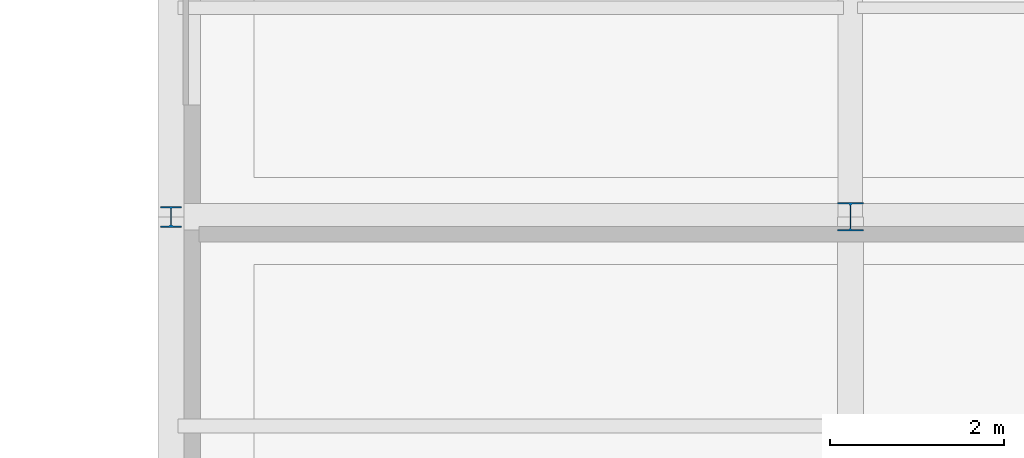
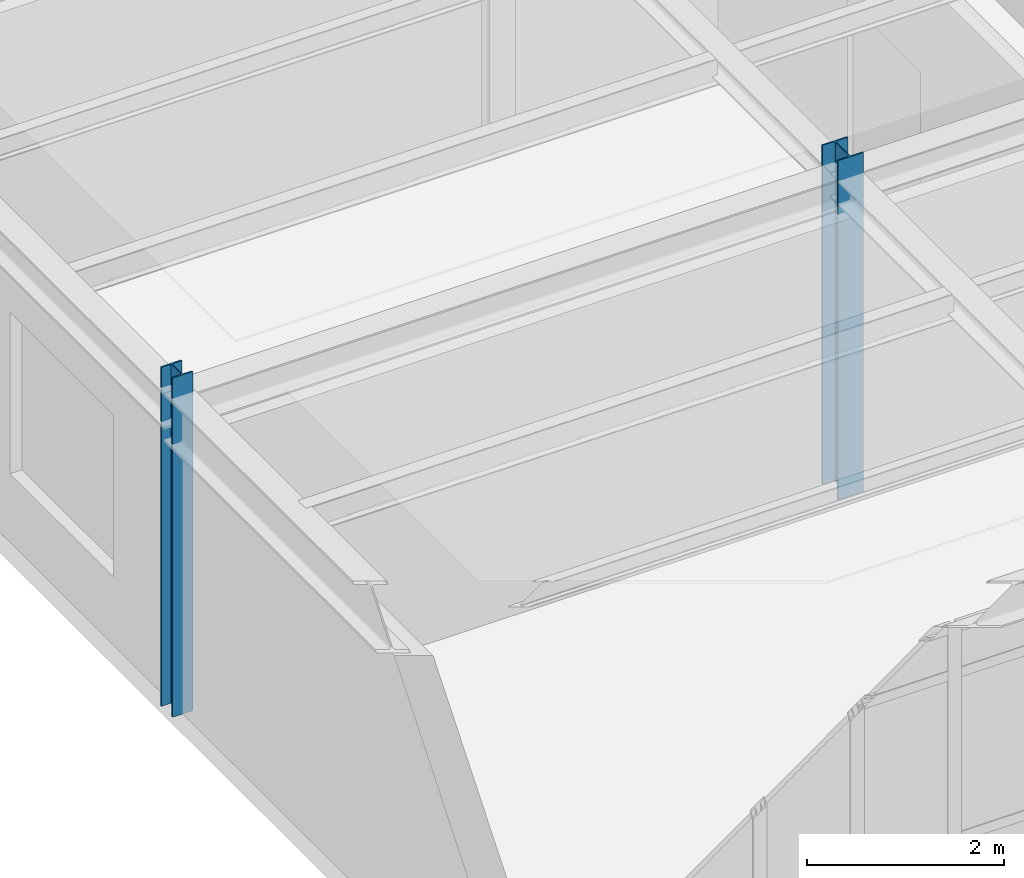
# One storey, part 13 of 90: 2 columns.
"""IFC4 building model written with IfcOpenShell, lengths in metres."""

from ifc_helpers import new_model, si_unit, derived_unit, direction, frame, origin, origin_2d, place, context, subcontext, project, spatial, i_section, extrude, material, material_profile, profile_set, type_object, element, save


model = new_model("IFC4")

# Units and contexts
model_context = context("Model", 3, precision=1e-05, world=origin(), true_north=direction((0.0, 1.0)))
body_context = subcontext(model_context, "Body", "Model", "MODEL_VIEW")
ifc_project = project(units=[si_unit("LENGTHUNIT", "METRE"), si_unit("AREAUNIT", "SQUARE_METRE"), si_unit("VOLUMEUNIT", "CUBIC_METRE"), si_unit("PLANEANGLEUNIT", "RADIAN"), si_unit("MASSUNIT", "GRAM", prefix="KILO"), derived_unit("THERMALTRANSMITTANCEUNIT", [(si_unit("POWERUNIT", "WATT"), 1), (si_unit("AREAUNIT", "SQUARE_METRE"), -1), (si_unit("THERMODYNAMICTEMPERATUREUNIT", "KELVIN"), -1)])], contexts=[model_context])

# Site, building, storey
site_placement = place(None, origin())
site = spatial("IfcSite", under=ifc_project, at=site_placement, CompositionType="ELEMENT")
building_placement = place(site_placement, origin())
building = spatial("IfcBuilding", under=site, at=building_placement, Name="Yasenodar Specialist Clinic", CompositionType="ELEMENT")
storey_placement = place(building_placement, frame((0.0, 0.0, 9.0)))
storey = spatial("IfcBuildingStorey", under=building, at=storey_placement, Name="L02", CompositionType="ELEMENT", Elevation=9.0)

# Columns
ifc_material = material(Name="Steel S355", Category="steel")
ifc_material_profile_1 = material_profile(ifc_material, i_section(OverallWidth=0.300048828125, OverallDepth=0.330078125, WebThickness=0.009521484375, FlangeThickness=0.0166015625, FilletRadius=0.027099609375, at=origin_2d()), Name="HEA 340")
ifc_profile_set_1 = profile_set([ifc_material_profile_1], Name="Steel S355")
column_type_1 = type_object("IfcColumnType", Name="COL-ST-HEA340", PredefinedType="COLUMN", material=ifc_profile_set_1)
column_1_placement = place(storey_placement, frame((57.0, 90.0, 0.0), z_axis=(0.0, 0.0, 1.0), x_axis=(1.0, 0.0, 0.0)))
element("IfcColumn", 1, at=column_1_placement, inside=storey, type_object=column_type_1, Name="L02 Column V5-089", PredefinedType="COLUMN", context=body_context, shape_type="SweptSolid", body=[
    extrude(i_section(OverallWidth=0.300048828125, OverallDepth=0.330078125, WebThickness=0.009521484375, FlangeThickness=0.0166015625, FilletRadius=0.027099609375, at=origin_2d()), origin(), (0.0, 0.0, 1.0), 4.199951171875),
])
ifc_material_profile_2 = material_profile(ifc_material, i_section(OverallWidth=0.239990234375, OverallDepth=0.239990234375, WebThickness=0.010009765625, FlangeThickness=0.01708984375, FilletRadius=0.02099609375, at=origin_2d()), Name="HEB 240")
ifc_profile_set_2 = profile_set([ifc_material_profile_2], Name="Steel S355")
column_type_2 = type_object("IfcColumnType", Name="COL-ST-HEB240", PredefinedType="COLUMN", material=ifc_profile_set_2)
column_2_placement = place(storey_placement, frame((49.199951171875, 90.0, 0.0), z_axis=(0.0, 0.0, 1.0), x_axis=(1.0, 0.0, 0.0)))
element("IfcColumn", 2, at=column_2_placement, inside=storey, type_object=column_type_2, Name="L02 Column V5-082", PredefinedType="COLUMN", context=body_context, shape_type="SweptSolid", body=[
    extrude(i_section(OverallWidth=0.239990234375, OverallDepth=0.239990234375, WebThickness=0.010009765625, FlangeThickness=0.01708984375, FilletRadius=0.02099609375, at=origin_2d()), origin(), (0.0, 0.0, 1.0), 4.199951171875),
])

save(model, "model.ifc")
